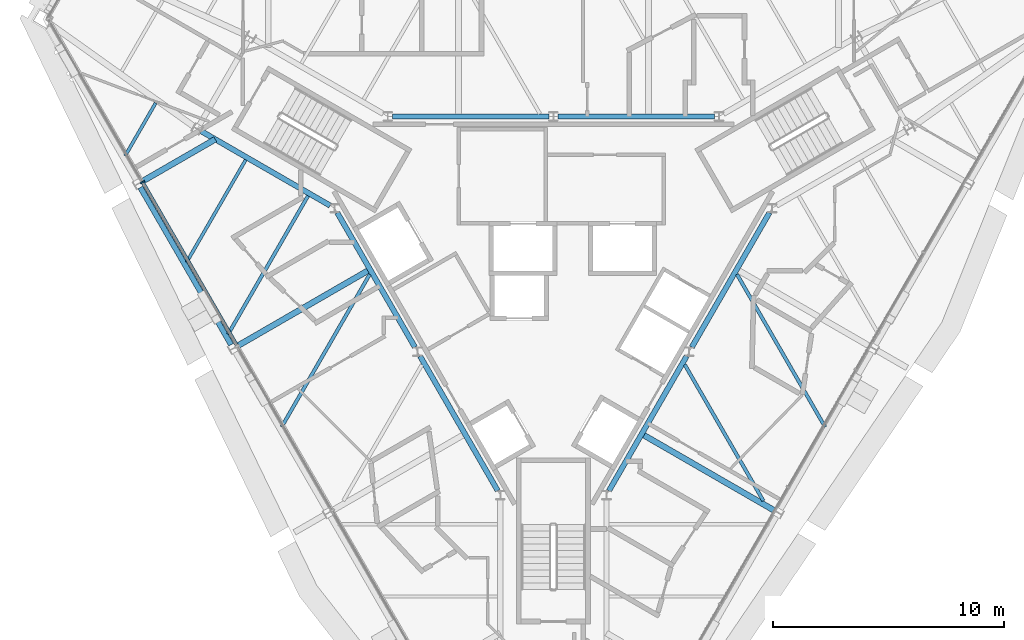
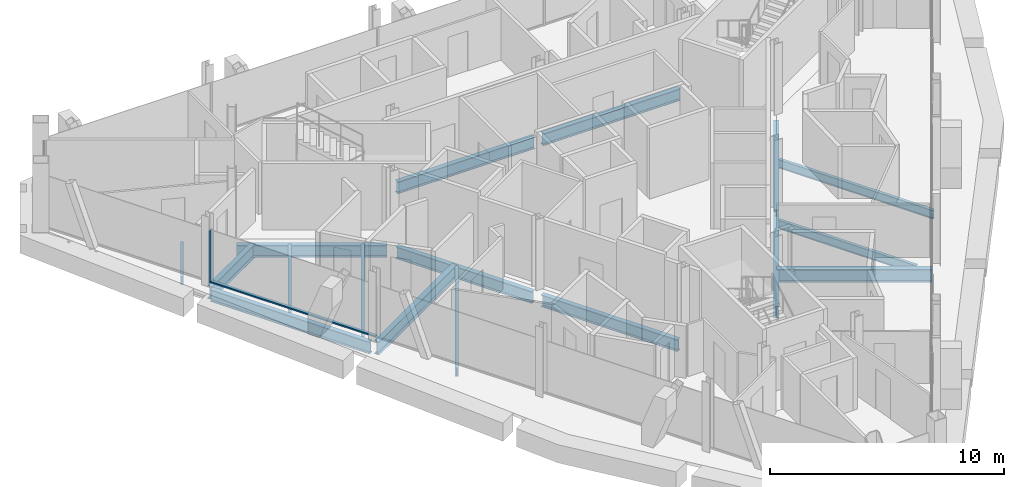
# One storey, part 4 of 15: 17 beams, 2 members, 1 element without a shape of its own.
"""IFC4 building model written with IfcOpenShell, lengths in metres."""

from ifc_helpers import new_model, si_unit, direction, frame, origin, origin_2d, place, context, subcontext, project, spatial, rectangle, i_section, extrude, material, material_profile, profile_set, type_object, element, aggregate, save


model = new_model("IFC4")

# Units and contexts
model_context = context("Model", 3, precision=1e-05, world=origin(), true_north=direction((0.0, 1.0)))
body_context = subcontext(model_context, "Body", "Model", "MODEL_VIEW")
ifc_project = project(units=[si_unit("LENGTHUNIT", "METRE"), si_unit("AREAUNIT", "SQUARE_METRE"), si_unit("VOLUMEUNIT", "CUBIC_METRE"), si_unit("PLANEANGLEUNIT", "RADIAN"), si_unit("MASSUNIT", "GRAM", prefix="KILO")], contexts=[model_context])

# Site, building, storey
site_placement = place(None, origin())
site = spatial("IfcSite", under=ifc_project, at=site_placement, CompositionType="ELEMENT")
building_placement = place(site_placement, origin())
building = spatial("IfcBuilding", under=site, at=building_placement, Name="Verrane Prism Tower", CompositionType="ELEMENT")
storey_placement = place(building_placement, frame((0.0, 0.0, 301.0)))
storey = spatial("IfcBuildingStorey", under=building, at=storey_placement, Name="L76", CompositionType="ELEMENT", Elevation=301.0)

# Beams
ifc_material_1 = material(Name="Steel A992", Category="steel")
ifc_material_profile_1 = material_profile(ifc_material_1, i_section(OverallWidth=0.23046875, OverallDepth=0.6171875, WebThickness=0.01318359375, FlangeThickness=0.022216796875, FilletRadius=0.012939453125, at=origin_2d()), Name="W24x94")
ifc_profile_set_1 = profile_set([ifc_material_profile_1], Name="Steel A992")
beam_type_1 = type_object("IfcBeamType", Name="Core ring girder W24x94", PredefinedType="BEAM", material=ifc_profile_set_1)
for number, where, z_axis, x_axis, name in (
    (1, (6.980712890625, 6.800048828125, -0.55859375), (-1.0, 0.0, 0.0), (0.0, -1.0, 0.0), "Core ring girder L76"),
    (2, (-0.199462890625, 6.800048828125, -0.55859375), (-1.0, 0.0, 0.0), (0.0, -1.0, 0.0), "Core ring girder L76"),
):
    element("IfcBeam", number, at=place(storey_placement, frame(where, z_axis=z_axis, x_axis=x_axis)), inside=storey, type_object=beam_type_1, Name=name, PredefinedType="BEAM", context=body_context, shape_type="SweptSolid", body=[
        extrude(i_section(OverallWidth=0.23046875, OverallDepth=0.6171875, WebThickness=0.01318359375, FlangeThickness=0.022216796875, FilletRadius=0.012939453125, at=origin_2d()), origin(), (0.0, 0.0, 1.0), 6.78125),
    ])
beam_1_placement = place(storey_placement, frame((-15.267333984375, 6.160400390625, -0.55859375), z_axis=(0.866080992722, -0.499903704773, 0.0), x_axis=(0.499903704773, 0.866080992722, 0.0)))
element("IfcBeam", 3, at=beam_1_placement, inside=storey, type_object=beam_type_1, Name="Core ring girder L76", PredefinedType="BEAM", context=body_context, shape_type="SweptSolid", body=[
    extrude(i_section(OverallWidth=0.23046875, OverallDepth=0.6171875, WebThickness=0.01318359375, FlangeThickness=0.022216796875, FilletRadius=0.012939453125, at=origin_2d()), origin(), (0.0, 0.0, 1.0), 6.451904296875),
])
for number, where, z_axis, x_axis, name in (
    (4, (-9.36865234375, 2.626953125, -0.55859375), (0.499881421193, -0.866093854468, 0.0), (0.866093854468, 0.499881421193, 0.0), "Core ring girder L76"),
    (5, (-5.778564453125, -3.593017578125, -0.55859375), (0.499881421193, -0.866093854468, 0.0), (0.866093854468, 0.499881421193, 0.0), "Core ring girder L76"),
    (6, (2.411376953125, -9.427001953125, -0.55859375), (0.499881421193, 0.866093854468, 0.0), (-0.866093854468, 0.499881421193, 0.0), "Core ring girder L76"),
    (7, (6.00146484375, -3.20703125, -0.55859375), (0.499881421193, 0.866093854468, 0.0), (-0.866093854468, 0.499881421193, 0.0), "Core ring girder L76"),
):
    element("IfcBeam", number, at=place(storey_placement, frame(where, z_axis=z_axis, x_axis=x_axis)), inside=storey, type_object=beam_type_1, Name=name, PredefinedType="BEAM", context=body_context, shape_type="SweptSolid", body=[
        extrude(i_section(OverallWidth=0.23046875, OverallDepth=0.6171875, WebThickness=0.01318359375, FlangeThickness=0.022216796875, FilletRadius=0.012939453125, at=origin_2d()), origin(), (0.0, 0.0, 1.0), 6.736083984375),
    ])
ifc_material_2 = material(Name="Steel A992", Category="steel")
ifc_material_profile_2 = material_profile(ifc_material_2, i_section(OverallWidth=0.140380859375, OverallDepth=0.40380859375, WebThickness=0.007080078125, FlangeThickness=0.01123046875, FilletRadius=0.01025390625, at=origin_2d()), Name="W16x31")
ifc_profile_set_2 = profile_set([ifc_material_profile_2], Name="Steel A992")
beam_type_2 = type_object("IfcBeamType", Name="Floor beam W16x31", PredefinedType="BEAM", material=ifc_profile_set_2)
beam_2_placement = place(storey_placement, frame((-18.565185546875, 5.089599609375, -0.36181640625), z_axis=(0.49994082229, 0.866059567356, 0.0), x_axis=(-0.866059567356, 0.49994082229, 0.0)))
element("IfcBeam", 8, at=beam_2_placement, inside=storey, type_object=beam_type_2, Name="Floor beam L76", PredefinedType="BEAM", context=body_context, shape_type="SweptSolid", body=[
    extrude(i_section(OverallWidth=0.140380859375, OverallDepth=0.40380859375, WebThickness=0.007080078125, FlangeThickness=0.01123046875, FilletRadius=0.01025390625, at=origin_2d()), origin(), (0.0, 0.0, 1.0), 2.645263671875),
])
beam_3_placement = place(storey_placement, frame((-15.902099609375, 0.474609375, -0.36181640625), z_axis=(0.500011000363, 0.866019052629, 0.0), x_axis=(-0.866019052629, 0.500011000363, 0.0)))
element("IfcBeam", 9, at=beam_3_placement, inside=storey, type_object=beam_type_2, Name="Floor beam L76", PredefinedType="BEAM", context=body_context, shape_type="SweptSolid", body=[
    extrude(i_section(OverallWidth=0.140380859375, OverallDepth=0.40380859375, WebThickness=0.007080078125, FlangeThickness=0.01123046875, FilletRadius=0.01025390625, at=origin_2d()), origin(), (0.0, 0.0, 1.0), 5.126953125),
])
ifc_material_3 = material(Name="Steel A992", Category="steel")
ifc_material_profile_3 = material_profile(ifc_material_3, i_section(OverallWidth=0.15234375, OverallDepth=0.449462890625, WebThickness=0.007568359375, FlangeThickness=0.0107421875, FilletRadius=0.01025390625, at=origin_2d()), Name="W18x35")
ifc_profile_set_3 = profile_set([ifc_material_profile_3], Name="Steel A992")
beam_type_3 = type_object("IfcBeamType", Name="Floor beam W18x35", PredefinedType="BEAM", material=ifc_profile_set_3)
beam_4_placement = place(storey_placement, frame((-14.1015625, -2.64599609375, -0.384765625), z_axis=(0.49999287541, 0.866029517129, 0.0), x_axis=(-0.866029517129, 0.49999287541, 0.0)))
element("IfcBeam", 10, at=beam_4_placement, inside=storey, type_object=beam_type_3, Name="Floor beam L76", PredefinedType="BEAM", context=body_context, shape_type="SweptSolid", body=[
    extrude(i_section(OverallWidth=0.15234375, OverallDepth=0.449462890625, WebThickness=0.007568359375, FlangeThickness=0.0107421875, FilletRadius=0.01025390625, at=origin_2d()), origin(), (0.0, 0.0, 1.0), 6.92919921875),
])
for number, where, z_axis, x_axis, name in (
    (11, (-11.78076171875, -6.6630859375, -0.384765625), (0.499997113229, 0.866027070456, 0.0), (-0.866027070456, 0.499997113229, 0.0), "Floor beam L76"),
    (12, (11.78076171875, -6.6630859375, -0.384765625), (-0.499997113229, 0.866027070456, 0.0), (-0.866027070456, -0.499997113229, 0.0), "Floor beam L76"),
):
    element("IfcBeam", number, at=place(storey_placement, frame(where, z_axis=z_axis, x_axis=x_axis)), inside=storey, type_object=beam_type_3, Name=name, PredefinedType="BEAM", context=body_context, shape_type="SweptSolid", body=[
        extrude(i_section(OverallWidth=0.15234375, OverallDepth=0.449462890625, WebThickness=0.007568359375, FlangeThickness=0.0107421875, FilletRadius=0.01025390625, at=origin_2d()), origin(), (0.0, 0.0, 1.0), 7.64306640625),
    ])
beam_5_placement = place(storey_placement, frame((9.103271484375, -9.864501953125, -0.384765625), z_axis=(-0.49999337185, 0.866029230515, 0.0), x_axis=(-0.866029230515, -0.49999337185, 0.0)))
element("IfcBeam", 13, at=beam_5_placement, inside=storey, type_object=beam_type_3, Name="Floor beam L76", PredefinedType="BEAM", context=body_context, shape_type="SweptSolid", body=[
    extrude(i_section(OverallWidth=0.15234375, OverallDepth=0.449462890625, WebThickness=0.007568359375, FlangeThickness=0.0107421875, FilletRadius=0.01025390625, at=origin_2d()), origin(), (0.0, 0.0, 1.0), 6.8125),
])

# Curtain wall, member
ifc_material_4 = material(Name="Aluminium framed insulated glazing", Category="aluminium")
curtain_wall_type = type_object("IfcCurtainWallType", Name="Curtain wall CW-A 8400 module", PredefinedType="NOTDEFINED", material=ifc_material_4)
curtain_wall_placement = place(storey_placement, origin())
curtain_wall = element("IfcCurtainWall", 14, at=curtain_wall_placement, inside=storey, type_object=curtain_wall_type, Name="Glazed curtain wall south-west face L76", PredefinedType="NOTDEFINED")
ifc_material_5 = material(Name="Aluminium alloy 6063-T6", Category="aluminium")
ifc_material_profile_4 = material_profile(ifc_material_5, rectangle(XDim=0.199951171875, YDim=0.070068359375, at=origin_2d()), Name="Mullion 70x200 aluminium")
ifc_profile_set_4 = profile_set([ifc_material_profile_4], Name="Aluminium alloy 6063-T6")
member_type_1 = type_object("IfcMemberType", Name="Mullion 70x200 aluminium", PredefinedType="MULLION", material=ifc_profile_set_4)
member_1_placement = place(storey_placement, frame((-17.8095703125, 3.952392578125, 0.0), z_axis=(0.0, 0.0, 1.0), x_axis=(0.866024861728, 0.500000938868, 0.0)))
member_1 = element("IfcMember", 15, at=member_1_placement, type_object=member_type_1, Name="CW75.4 mullion 2", PredefinedType="MULLION", context=body_context, shape_type="SweptSolid", body=[
    extrude(rectangle(XDim=0.199951171875, YDim=0.070068359375, at=origin_2d()), origin(), (0.0, 0.0, 1.0), 2.72314453125),
])

# Beams
ifc_material_6 = material(Name="Steel A992", Category="steel")
ifc_material_profile_5 = material_profile(ifc_material_6, i_section(OverallWidth=0.25390625, OverallDepth=0.683349609375, WebThickness=0.012451171875, FlangeThickness=0.01904296875, FilletRadius=0.01513671875, at=origin_2d()), Name="W27x94")
ifc_profile_set_5 = profile_set([ifc_material_profile_5], Name="Steel A992")
beam_type_4 = type_object("IfcBeamType", Name="Radial girder W27x94", PredefinedType="BEAM", material=ifc_profile_set_5)
beam_6_placement = place(storey_placement, frame((-17.840576171875, 3.97216796875, -0.5615234375), z_axis=(0.866042841795, 0.499969795263, 0.0), x_axis=(-0.499969795263, 0.866042841795, 0.0)))
element("IfcBeam", 16, at=beam_6_placement, inside=storey, type_object=beam_type_4, Name="Radial girder L76", PredefinedType="BEAM", context=body_context, shape_type="SweptSolid", body=[
    extrude(i_section(OverallWidth=0.25390625, OverallDepth=0.683349609375, WebThickness=0.012451171875, FlangeThickness=0.01904296875, FilletRadius=0.01513671875, at=origin_2d()), origin(), (0.0, 0.0, 1.0), 3.674072265625),
])
beam_7_placement = place(storey_placement, frame((-13.720458984375, -3.16796875, -0.5615234375), z_axis=(0.866025791777, 0.499999327977, 0.0), x_axis=(-0.499999327977, 0.866025791777, 0.0)))
element("IfcBeam", 17, at=beam_7_placement, inside=storey, type_object=beam_type_4, Name="Radial girder L76", PredefinedType="BEAM", context=body_context, shape_type="SweptSolid", body=[
    extrude(i_section(OverallWidth=0.25390625, OverallDepth=0.683349609375, WebThickness=0.012451171875, FlangeThickness=0.01904296875, FilletRadius=0.01513671875, at=origin_2d()), origin(), (0.0, 0.0, 1.0), 6.666015625),
])
beam_8_placement = place(storey_placement, frame((9.6005859375, -10.2978515625, -0.5615234375), z_axis=(-0.866031183428, 0.49998998923, 0.0), x_axis=(-0.49998998923, -0.866031183428, 0.0)))
element("IfcBeam", 18, at=beam_8_placement, inside=storey, type_object=beam_type_4, Name="Radial girder L76", PredefinedType="BEAM", context=body_context, shape_type="SweptSolid", body=[
    extrude(i_section(OverallWidth=0.25390625, OverallDepth=0.683349609375, WebThickness=0.012451171875, FlangeThickness=0.01904296875, FilletRadius=0.01513671875, at=origin_2d()), origin(), (0.0, 0.0, 1.0), 6.661865234375),
])
ifc_material_7 = material(Name="Steel A992", Category="steel")
ifc_material_profile_6 = material_profile(ifc_material_7, i_section(OverallWidth=0.23046875, OverallDepth=0.6171875, WebThickness=0.01318359375, FlangeThickness=0.022216796875, FilletRadius=0.012939453125, at=origin_2d()), Name="W24x94")
ifc_profile_set_6 = profile_set([ifc_material_profile_6], Name="Steel A992")
beam_type_5 = type_object("IfcBeamType", Name="Spandrel beam W24x94", PredefinedType="SPANDREL", material=ifc_profile_set_6)
beam_9_placement = place(storey_placement, frame((-17.90673828125, 3.71826171875, -0.468505859375), z_axis=(0.499786009893, -0.866148915785, 0.0), x_axis=(0.866148915785, 0.499786009893, 0.0)))
element("IfcBeam", 19, at=beam_9_placement, inside=storey, type_object=beam_type_5, Name="Spandrel beam L76", PredefinedType="SPANDREL", context=body_context, shape_type="SweptSolid", body=[
    extrude(i_section(OverallWidth=0.23046875, OverallDepth=0.6171875, WebThickness=0.01318359375, FlangeThickness=0.022216796875, FilletRadius=0.012939453125, at=origin_2d()), origin(), (0.0, 0.0, 1.0), 7.8701171875),
])

# Member
ifc_material_8 = material(Name="Aluminium alloy 6063-T6", Category="aluminium")
ifc_material_profile_7 = material_profile(ifc_material_8, rectangle(XDim=0.14990234375, YDim=0.070068359375, at=origin_2d()), Name="Transom 70x150 aluminium")
ifc_profile_set_7 = profile_set([ifc_material_profile_7], Name="Aluminium alloy 6063-T6")
member_type_2 = type_object("IfcMemberType", Name="Transom 70x150 aluminium", PredefinedType="USERDEFINED", material=ifc_profile_set_7)
member_2_placement = place(storey_placement, frame((-17.7919921875, 3.922119140625, 0.034912109375), z_axis=(0.500006018292, -0.866021929094, 0.0), x_axis=(0.866021929094, 0.500006018292, 0.0)))
member_2 = element("IfcMember", 20, at=member_2_placement, type_object=member_type_2, Name="CW75.4 transom 2", ObjectType="TRANSOM", PredefinedType="USERDEFINED", context=body_context, shape_type="SweptSolid", body=[
    extrude(rectangle(XDim=0.14990234375, YDim=0.070068359375, at=origin_2d()), origin(), (0.0, 0.0, 1.0), 8.1484375),
])

aggregate(curtain_wall, [member_1, member_2])

save(model, "model.ifc")
